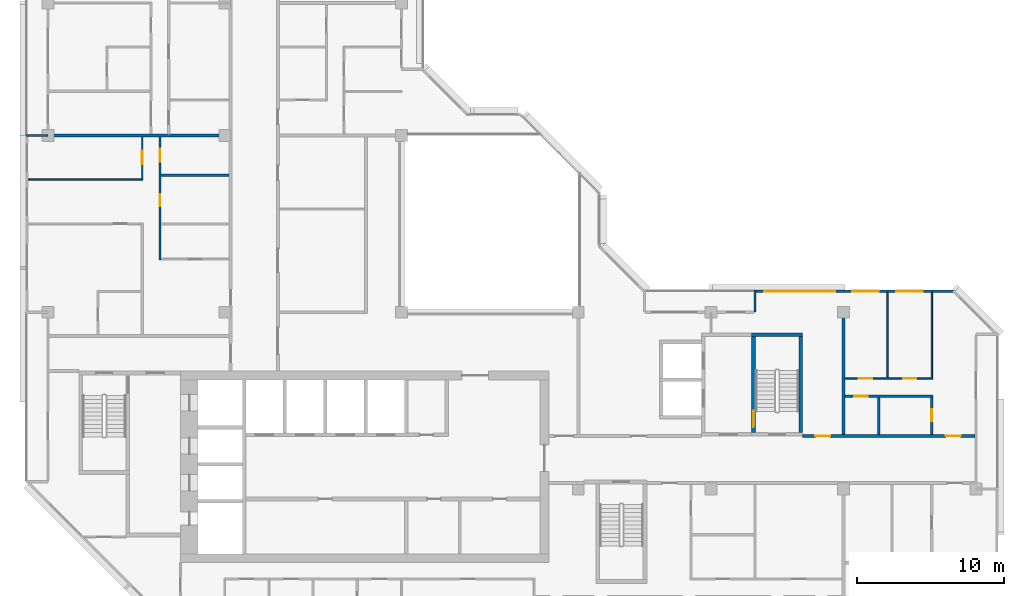
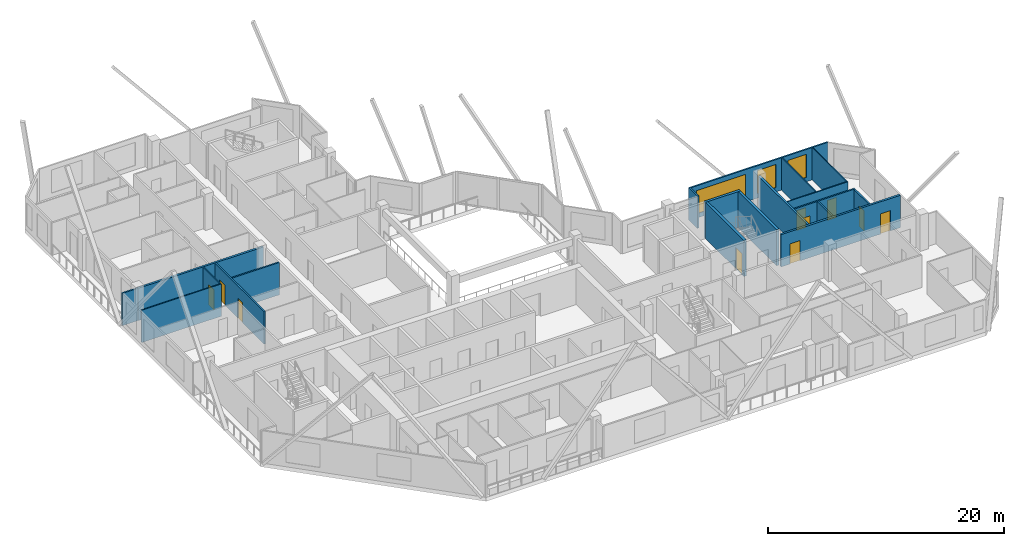
# One storey, part 8 of 13: 19 walls, 10 doors, 3 windows, 13 openings.
"""IFC4 building model written with IfcOpenShell, lengths in metres."""

from ifc_helpers import new_model, si_unit, direction, frame, frame_2d, origin, place, context, subcontext, project, spatial, rectangle, extrude, material, layer, layer_set, type_object, element, fill, save


model = new_model("IFC4")

# Units and contexts
model_context = context("Model", 3, precision=1e-05, world=origin(), true_north=direction((0.0, 1.0)))
body_context = subcontext(model_context, "Body", "Model", "MODEL_VIEW")
ifc_project = project(units=[si_unit("LENGTHUNIT", "METRE"), si_unit("AREAUNIT", "SQUARE_METRE"), si_unit("VOLUMEUNIT", "CUBIC_METRE"), si_unit("PLANEANGLEUNIT", "RADIAN"), si_unit("MASSUNIT", "GRAM", prefix="KILO")], contexts=[model_context])

# Site, building, storey
site_placement = place(None, origin())
site = spatial("IfcSite", under=ifc_project, at=site_placement, CompositionType="ELEMENT")
building_placement = place(site_placement, origin())
building = spatial("IfcBuilding", under=site, at=building_placement, Name="Chenar Terraces", CompositionType="ELEMENT")
storey_placement = place(building_placement, frame((0.0, 0.0, 310.89990234375)))
storey = spatial("IfcBuildingStorey", under=building, at=storey_placement, Name="L73", CompositionType="ELEMENT", Elevation=310.89990234375)

# Wall
ifc_material_1 = material(Name="Concrete C50/60", Category="concrete")
ifc_layer_1 = layer(ifc_material_1, 0.25)
ifc_layer_set_1 = layer_set([ifc_layer_1], Name="Concrete C50/60")
wall_type_1 = type_object("IfcWallType", Name="Core wall 250 Concrete C50/60", PredefinedType="SHEAR", material=ifc_layer_set_1)
wall_1_placement = place(storey_placement, frame((47.77490234375, 22.47509765625, 0.0), z_axis=(0.0, 0.0, 1.0), x_axis=(1.0, 0.0, 0.0)))
element("IfcWall", 1, at=wall_1_placement, inside=storey, type_object=wall_type_1, Name="Core wall ST3_N L73", PredefinedType="SHEAR", context=body_context, shape_type="SweptSolid", body=[
    extrude(rectangle(XDim=3.4501953125, YDim=0.25, at=frame_2d((1.72509765625, 0.0))), origin(), (0.0, 0.0, 1.0), 3.75),
])

# Wall, opening, door
wall_2_placement = place(storey_placement, frame((47.89990234375, 15.85009765625, 0.0), z_axis=(0.0, 0.0, 1.0), x_axis=(0.0, 1.0, 0.0)))
wall_2 = element("IfcWall", 2, at=wall_2_placement, inside=storey, type_object=wall_type_1, Name="Core wall ST3_W L73", PredefinedType="SHEAR", context=body_context, shape_type="SweptSolid", body=[
    extrude(rectangle(XDim=6.5, YDim=0.25, at=frame_2d((3.25, 0.0))), origin(), (0.0, 0.0, 1.0), 3.75),
])
opening_1_placement = place(wall_2_placement, frame((0.35009765625, 0.0, 0.0)))
opening_1 = element("IfcOpeningElement", 3, at=opening_1_placement, cuts=wall_2, Name="Opening DL73-C11", PredefinedType="OPENING", context=body_context, shape_type="SweptSolid", body=[
    extrude(rectangle(XDim=1.10009765625, YDim=2.199951171875, at=frame_2d((0.550048828125, 1.10009765625))), frame((0.0, 0.135009765625, 0.0), z_axis=(0.0, -1.0, 0.0), x_axis=(1.0, 0.0, 0.0)), (0.0, 0.0, 1.0), 0.27001953125),
])
ifc_material_2 = material(Name="Steel-framed fire-resisting door leaf", Category="steel")
door_type_1 = type_object("IfcDoorType", Name="Stair fire door FD60 1100 x 2200", OperationType="SINGLE_SWING_LEFT", PredefinedType="DOOR", material=ifc_material_2)
door_1_placement = place(opening_1_placement, frame((1.10009765625, 0.0, 0.0), z_axis=(0.0, 0.0, 1.0), x_axis=(-1.0, 0.0, 0.0)))
door_1 = element("IfcDoor", 4, at=door_1_placement, inside=storey, type_object=door_type_1, Name="Stair door DL73-C11", OperationType="SINGLE_SWING_RIGHT", OverallHeight=2.199951171875, OverallWidth=1.10009765625, PredefinedType="DOOR", context=body_context, shape_type="SweptSolid", body=[
    extrude(rectangle(XDim=1.10009765625, YDim=2.199951171875, at=frame_2d((0.550048828125, 1.10009765625))), frame((0.0, 0.02490234375, 0.0), z_axis=(0.0, -1.0, 0.0), x_axis=(1.0, 0.0, 0.0)), (0.0, 0.0, 1.0), 0.050048828125),
])
fill(opening_1, door_1)

# Wall
wall_3_placement = place(storey_placement, frame((51.10009765625, 15.85009765625, 0.0), z_axis=(0.0, 0.0, 1.0), x_axis=(0.0, 1.0, 0.0)))
element("IfcWall", 5, at=wall_3_placement, inside=storey, type_object=wall_type_1, Name="Core wall ST3_E L73", PredefinedType="SHEAR", context=body_context, shape_type="SweptSolid", body=[
    extrude(rectangle(XDim=6.5, YDim=0.25, at=frame_2d((3.25, 0.0))), origin(), (0.0, 0.0, 1.0), 3.75),
])

# Wall, openings, doors
ifc_material_3 = material(Name="Gypsum board on steel studs with fire boards", Category="steel")
ifc_layer_2 = layer(ifc_material_3, 0.199951171875)
ifc_layer_set_2 = layer_set([ifc_layer_2], Name="Gypsum board on steel studs with fire boards")
wall_type_2 = type_object("IfcWallType", Name="Corridor wall 200", PredefinedType="PARTITIONING", material=ifc_layer_set_2)
wall_4_placement = place(storey_placement, frame((51.22509765625, 15.60009765625, 0.0), z_axis=(0.0, 0.0, 1.0), x_axis=(1.0, 0.0, 0.0)))
wall_4 = element("IfcWall", 6, at=wall_4_placement, inside=storey, type_object=wall_type_2, Name="Partition L73-068", PredefinedType="PARTITIONING", context=body_context, shape_type="SweptSolid", body=[
    extrude(rectangle(XDim=11.700927734375, YDim=0.199951171875, at=frame_2d((5.8505859375, 0.0))), origin(), (0.0, 0.0, 1.0), 3.35009765625),
])
opening_2_placement = place(wall_4_placement, frame((9.72509765625, 0.0, 0.0)))
opening_2 = element("IfcOpeningElement", 7, at=opening_2_placement, cuts=wall_4, Name="Opening DL73-8", PredefinedType="OPENING", context=body_context, shape_type="SweptSolid", body=[
    extrude(rectangle(XDim=1.0, YDim=2.10009765625, at=frame_2d((0.5, 1.050048828125))), frame((0.0, 0.10986328125, 0.0), z_axis=(0.0, -1.0, 0.0), x_axis=(1.0, 0.0, 0.0)), (0.0, 0.0, 1.0), 0.219970703125),
])
opening_3_placement = place(wall_4_placement, frame((0.875, 0.0, 0.0)))
opening_3 = element("IfcOpeningElement", 8, at=opening_3_placement, cuts=wall_4, Name="Opening DL73-32", PredefinedType="OPENING", context=body_context, shape_type="SweptSolid", body=[
    extrude(rectangle(XDim=1.0, YDim=2.10009765625, at=frame_2d((0.5, 1.050048828125))), frame((0.0, 0.10986328125, 0.0), z_axis=(0.0, -1.0, 0.0), x_axis=(1.0, 0.0, 0.0)), (0.0, 0.0, 1.0), 0.219970703125),
])
ifc_material_4 = material(Name="Steel-framed fire-resisting door leaf", Category="steel")
door_type_2 = type_object("IfcDoorType", Name="Fire door FD30S 1000 x 2100", OperationType="SINGLE_SWING_LEFT", PredefinedType="DOOR", material=ifc_material_4)
door_2_placement = place(opening_2_placement, origin())
door_2 = element("IfcDoor", 9, at=door_2_placement, inside=storey, type_object=door_type_2, Name="Door DL73-8", OperationType="SINGLE_SWING_LEFT", OverallHeight=2.10009765625, OverallWidth=1.0, PredefinedType="DOOR", context=body_context, shape_type="SweptSolid", body=[
    extrude(rectangle(XDim=1.0, YDim=2.10009765625, at=frame_2d((0.5, 1.050048828125))), frame((0.0, 0.02490234375, 0.0), z_axis=(0.0, -1.0, 0.0), x_axis=(1.0, 0.0, 0.0)), (0.0, 0.0, 1.0), 0.050048828125),
])
fill(opening_2, door_2)
door_3_placement = place(opening_3_placement, origin())
door_3 = element("IfcDoor", 10, at=door_3_placement, inside=storey, type_object=door_type_2, Name="Door DL73-32", OperationType="SINGLE_SWING_RIGHT", OverallHeight=2.10009765625, OverallWidth=1.0, PredefinedType="DOOR", context=body_context, shape_type="SweptSolid", body=[
    extrude(rectangle(XDim=1.0, YDim=2.10009765625, at=frame_2d((0.5, 1.050048828125))), frame((0.0, 0.02490234375, 0.0), z_axis=(0.0, -1.0, 0.0), x_axis=(1.0, 0.0, 0.0)), (0.0, 0.0, 1.0), 0.050048828125),
])
fill(opening_3, door_3)

# Wall, openings, windows
ifc_material_5 = material(Name="Aluminium framed glazing", Category="aluminium")
ifc_layer_3 = layer(ifc_material_5, 0.14990234375)
ifc_layer_set_3 = layer_set([ifc_layer_3], Name="Aluminium framed glazing")
wall_type_3 = type_object("IfcWallType", Name="Glazed flush facade wall 150", PredefinedType="SOLIDWALL", material=ifc_layer_set_3)
wall_5_placement = place(storey_placement, frame((61.5, 25.425048828125, 0.0), z_axis=(0.0, 0.0, 1.0), x_axis=(-1.0, 0.0, 0.0)))
wall_5 = element("IfcWall", 11, at=wall_5_placement, inside=storey, type_object=wall_type_3, Name="Glazed flush facade wall", PredefinedType="SOLIDWALL", context=body_context, shape_type="SweptSolid", body=[
    extrude(rectangle(XDim=13.425048828125, YDim=0.14990234375, at=frame_2d((6.71240234375, 0.0))), origin(), (0.0, 0.0, 1.0), 3.35009765625),
])
opening_4_placement = place(wall_5_placement, frame((2.10009765625, 0.0, 0.449951171875)))
opening_4 = element("IfcOpeningElement", 12, at=opening_4_placement, cuts=wall_5, Name="Opening W180x240", PredefinedType="OPENING", context=body_context, shape_type="SweptSolid", body=[
    extrude(rectangle(XDim=1.800048828125, YDim=2.39990234375, at=frame_2d((0.89990234375, 1.199951171875))), frame((0.0, 0.0849609375, 0.0), z_axis=(0.0, -1.0, 0.0), x_axis=(1.0, 0.0, 0.0)), (0.0, 0.0, 1.0), 0.169921875),
])
opening_5_placement = place(wall_5_placement, frame((5.10009765625, 0.0, 0.449951171875)))
opening_5 = element("IfcOpeningElement", 13, at=opening_5_placement, cuts=wall_5, Name="Opening W180x240", PredefinedType="OPENING", context=body_context, shape_type="SweptSolid", body=[
    extrude(rectangle(XDim=1.800048828125, YDim=2.39990234375, at=frame_2d((0.89990234375, 1.199951171875))), frame((0.0, 0.0849609375, 0.0), z_axis=(0.0, -1.0, 0.0), x_axis=(1.0, 0.0, 0.0)), (0.0, 0.0, 1.0), 0.169921875),
])
opening_6_placement = place(wall_5_placement, frame((8.0625, 0.0, 0.449951171875)))
opening_6 = element("IfcOpeningElement", 14, at=opening_6_placement, cuts=wall_5, Name="Opening W480x240", PredefinedType="OPENING", context=body_context, shape_type="SweptSolid", body=[
    extrude(rectangle(XDim=4.800048828125, YDim=2.39990234375, at=frame_2d((2.39990234375, 1.199951171875))), frame((0.0, 0.0849609375, 0.0), z_axis=(0.0, -1.0, 0.0), x_axis=(1.0, 0.0, 0.0)), (0.0, 0.0, 1.0), 0.169921875),
])
ifc_material_6 = material(Name="Low emissivity double glazing, aluminium frame", Category="aluminium")
window_type_1 = type_object("IfcWindowType", Name="Fixed light 1800 x 2400", PartitioningType="SINGLE_PANEL", PredefinedType="WINDOW", material=ifc_material_6)
window_1_placement = place(opening_4_placement, origin())
window_1 = element("IfcWindow", 15, at=window_1_placement, inside=storey, type_object=window_type_1, Name="Window", OverallHeight=2.39990234375, OverallWidth=1.800048828125, PartitioningType="SINGLE_PANEL", PredefinedType="WINDOW", context=body_context, shape_type="SweptSolid", body=[
    extrude(rectangle(XDim=1.800048828125, YDim=2.39990234375, at=frame_2d((0.89990234375, 1.199951171875))), frame((0.0, 0.030029296875, 0.0), z_axis=(0.0, -1.0, 0.0), x_axis=(1.0, 0.0, 0.0)), (0.0, 0.0, 1.0), 0.06005859375),
])
fill(opening_4, window_1)
window_2_placement = place(opening_5_placement, origin())
window_2 = element("IfcWindow", 16, at=window_2_placement, inside=storey, type_object=window_type_1, Name="Window", OverallHeight=2.39990234375, OverallWidth=1.800048828125, PartitioningType="SINGLE_PANEL", PredefinedType="WINDOW", context=body_context, shape_type="SweptSolid", body=[
    extrude(rectangle(XDim=1.800048828125, YDim=2.39990234375, at=frame_2d((0.89990234375, 1.199951171875))), frame((0.0, 0.030029296875, 0.0), z_axis=(0.0, -1.0, 0.0), x_axis=(1.0, 0.0, 0.0)), (0.0, 0.0, 1.0), 0.06005859375),
])
fill(opening_5, window_2)
ifc_material_7 = material(Name="Low emissivity double glazing, aluminium frame", Category="aluminium")
window_type_2 = type_object("IfcWindowType", Name="Fixed light 4800 x 2400", PartitioningType="SINGLE_PANEL", PredefinedType="WINDOW", material=ifc_material_7)
window_3_placement = place(opening_6_placement, origin())
window_3 = element("IfcWindow", 17, at=window_3_placement, inside=storey, type_object=window_type_2, Name="Window", OverallHeight=2.39990234375, OverallWidth=4.800048828125, PartitioningType="SINGLE_PANEL", PredefinedType="WINDOW", context=body_context, shape_type="SweptSolid", body=[
    extrude(rectangle(XDim=4.800048828125, YDim=2.39990234375, at=frame_2d((2.39990234375, 1.199951171875))), frame((0.0, 0.030029296875, 0.0), z_axis=(0.0, -1.0, 0.0), x_axis=(1.0, 0.0, 0.0)), (0.0, 0.0, 1.0), 0.06005859375),
])
fill(opening_6, window_3)

# Wall
ifc_material_8 = material(Name="Gypsum board on steel studs", Category="steel")
ifc_layer_4 = layer(ifc_material_8, 0.10009765625)
ifc_layer_set_4 = layer_set([ifc_layer_4], Name="Gypsum board on steel studs")
wall_type_4 = type_object("IfcWallType", Name="Gypsum partition 100", PredefinedType="PARTITIONING", material=ifc_layer_set_4)
wall_6_placement = place(storey_placement, frame((-1.35009765625, 33.0, 0.0), z_axis=(0.0, 0.0, 1.0), x_axis=(1.0, 0.0, 0.0)))
element("IfcWall", 18, at=wall_6_placement, inside=storey, type_object=wall_type_4, Name="Partition L73-003", PredefinedType="PARTITIONING", context=body_context, shape_type="SweptSolid", body=[
    extrude(rectangle(XDim=7.800048828125, YDim=0.10009765625, at=frame_2d((3.89990234375, 0.0))), origin(), (0.0, 0.0, 1.0), 3.35009765625),
])

# Wall, opening, door
wall_7_placement = place(storey_placement, frame((6.39990234375, 33.050048828125, 0.0), z_axis=(0.0, 0.0, 1.0), x_axis=(0.0, 1.0, 0.0)))
wall_7 = element("IfcWall", 19, at=wall_7_placement, inside=storey, type_object=wall_type_4, Name="Partition L73-018", PredefinedType="PARTITIONING", context=body_context, shape_type="SweptSolid", body=[
    extrude(rectangle(XDim=2.849853515625, YDim=0.10009765625, at=frame_2d((1.4248046875, 0.0))), origin(), (0.0, 0.0, 1.0), 3.35009765625),
])
opening_7_placement = place(wall_7_placement, frame((1.0, 0.0, 0.0)))
opening_7 = element("IfcOpeningElement", 20, at=opening_7_placement, cuts=wall_7, Name="Opening DL73-51", PredefinedType="OPENING", context=body_context, shape_type="SweptSolid", body=[
    extrude(rectangle(XDim=0.89990234375, YDim=2.10009765625, at=frame_2d((0.449951171875, 1.050048828125))), frame((0.0, 0.06005859375, 0.0), z_axis=(0.0, -1.0, 0.0), x_axis=(1.0, 0.0, 0.0)), (0.0, 0.0, 1.0), 0.1201171875),
])
ifc_material_9 = material(Name="Veneered timber door leaf", Category="wood")
door_type_3 = type_object("IfcDoorType", Name="Door 900 x 2100", OperationType="SINGLE_SWING_LEFT", PredefinedType="DOOR", material=ifc_material_9)
door_4_placement = place(opening_7_placement, origin())
door_4 = element("IfcDoor", 21, at=door_4_placement, inside=storey, type_object=door_type_3, Name="Door DL73-51", OperationType="SINGLE_SWING_RIGHT", OverallHeight=2.10009765625, OverallWidth=0.89990234375, PredefinedType="DOOR", context=body_context, shape_type="SweptSolid", body=[
    extrude(rectangle(XDim=0.89990234375, YDim=2.10009765625, at=frame_2d((0.449951171875, 1.050048828125))), frame((0.0, 0.02490234375, 0.0), z_axis=(0.0, -1.0, 0.0), x_axis=(1.0, 0.0, 0.0)), (0.0, 0.0, 1.0), 0.050048828125),
])
fill(opening_7, door_4)

# Wall, openings, doors
wall_8_placement = place(storey_placement, frame((54.10009765625, 19.5, 0.0), z_axis=(0.0, 0.0, 1.0), x_axis=(1.0, 0.0, 0.0)))
wall_8 = element("IfcWall", 22, at=wall_8_placement, inside=storey, type_object=wall_type_4, Name="Partition L73-073", PredefinedType="PARTITIONING", context=body_context, shape_type="SweptSolid", body=[
    extrude(rectangle(XDim=5.949951171875, YDim=0.10009765625, at=frame_2d((2.97509765625, 0.0))), origin(), (0.0, 0.0, 1.0), 3.35009765625),
])
opening_8_placement = place(wall_8_placement, frame((0.949951171875, 0.0, 0.0)))
opening_8 = element("IfcOpeningElement", 23, at=opening_8_placement, cuts=wall_8, Name="Opening DL73-5", PredefinedType="OPENING", context=body_context, shape_type="SweptSolid", body=[
    extrude(rectangle(XDim=0.89990234375, YDim=2.10009765625, at=frame_2d((0.449951171875, 1.050048828125))), frame((0.0, 0.06005859375, 0.0), z_axis=(0.0, -1.0, 0.0), x_axis=(1.0, 0.0, 0.0)), (0.0, 0.0, 1.0), 0.1201171875),
])
opening_9_placement = place(wall_8_placement, frame((3.949951171875, 0.0, 0.0)))
opening_9 = element("IfcOpeningElement", 24, at=opening_9_placement, cuts=wall_8, Name="Opening DL73-6", PredefinedType="OPENING", context=body_context, shape_type="SweptSolid", body=[
    extrude(rectangle(XDim=0.89990234375, YDim=2.10009765625, at=frame_2d((0.449951171875, 1.050048828125))), frame((0.0, 0.06005859375, 0.0), z_axis=(0.0, -1.0, 0.0), x_axis=(1.0, 0.0, 0.0)), (0.0, 0.0, 1.0), 0.1201171875),
])
door_5_placement = place(opening_8_placement, origin())
door_5 = element("IfcDoor", 25, at=door_5_placement, inside=storey, type_object=door_type_3, Name="Door DL73-5", OperationType="SINGLE_SWING_RIGHT", OverallHeight=2.10009765625, OverallWidth=0.89990234375, PredefinedType="DOOR", context=body_context, shape_type="SweptSolid", body=[
    extrude(rectangle(XDim=0.89990234375, YDim=2.10009765625, at=frame_2d((0.449951171875, 1.050048828125))), frame((0.0, 0.02490234375, 0.0), z_axis=(0.0, -1.0, 0.0), x_axis=(1.0, 0.0, 0.0)), (0.0, 0.0, 1.0), 0.050048828125),
])
fill(opening_8, door_5)
door_6_placement = place(opening_9_placement, origin())
door_6 = element("IfcDoor", 26, at=door_6_placement, inside=storey, type_object=door_type_3, Name="Door DL73-6", OperationType="SINGLE_SWING_RIGHT", OverallHeight=2.10009765625, OverallWidth=0.89990234375, PredefinedType="DOOR", context=body_context, shape_type="SweptSolid", body=[
    extrude(rectangle(XDim=0.89990234375, YDim=2.10009765625, at=frame_2d((0.449951171875, 1.050048828125))), frame((0.0, 0.02490234375, 0.0), z_axis=(0.0, -1.0, 0.0), x_axis=(1.0, 0.0, 0.0)), (0.0, 0.0, 1.0), 0.050048828125),
])
fill(opening_9, door_6)

# Walls
wall_9_placement = place(storey_placement, frame((57.0, 19.550048828125, 0.0), z_axis=(0.0, 0.0, 1.0), x_axis=(0.0, 1.0, 0.0)))
element("IfcWall", 27, at=wall_9_placement, inside=storey, type_object=wall_type_4, Name="Partition L73-075", PredefinedType="PARTITIONING", context=body_context, shape_type="SweptSolid", body=[
    extrude(rectangle(XDim=5.801025390625, YDim=0.10009765625, at=frame_2d((2.900390625, 0.0))), origin(), (0.0, 0.0, 1.0), 3.35009765625),
])
wall_10_placement = place(storey_placement, frame((60.0, 19.550048828125, 0.0), z_axis=(0.0, 0.0, 1.0), x_axis=(0.0, 1.0, 0.0)))
element("IfcWall", 28, at=wall_10_placement, inside=storey, type_object=wall_type_4, Name="Partition L73-080", PredefinedType="PARTITIONING", context=body_context, shape_type="SweptSolid", body=[
    extrude(rectangle(XDim=5.800048828125, YDim=0.10009765625, at=frame_2d((2.89990234375, 0.0))), origin(), (0.0, 0.0, 1.0), 3.35009765625),
])
ifc_material_10 = material(Name="Terracotta cladding on insulated backing", Category="masonry")
ifc_layer_5 = layer(ifc_material_10, 0.14990234375)
ifc_layer_set_5 = layer_set([ifc_layer_5], Name="Terracotta cladding on insulated backing")
wall_type_5 = type_object("IfcWallType", Name="Loggia return wall 150", PredefinedType="SOLIDWALL", material=ifc_layer_set_5)
for number, where, z_axis, x_axis, name in (
    (29, (48.0, 25.5, 0.0), (0.0, 0.0, 1.0), (0.0, -1.0, 0.0), "Loggia return wall"),
    (30, (-1.5, 36.0, 0.0), (0.0, 0.0, 1.0), (1.0, 0.0, 0.0), "Loggia return wall"),
):
    element("IfcWall", number, at=place(storey_placement, frame(where, z_axis=z_axis, x_axis=x_axis)), inside=storey, type_object=wall_type_5, Name=name, PredefinedType="SOLIDWALL", context=body_context, shape_type="SweptSolid", body=[
        extrude(rectangle(XDim=1.5, YDim=0.14990234375, at=frame_2d((0.75, 0.0))), origin(), (0.0, 0.0, 1.0), 3.35009765625),
    ])
ifc_material_11 = material(Name="Twin gypsum board on steel studs with mineral wool", Category="steel")
ifc_layer_6 = layer(ifc_material_11, 0.199951171875)
ifc_layer_set_6 = layer_set([ifc_layer_6], Name="Twin gypsum board on steel studs with mineral wool")
wall_type_6 = type_object("IfcWallType", Name="Unit demising wall 200", PredefinedType="PARTITIONING", material=ifc_layer_set_6)
wall_11_placement = place(storey_placement, frame((0.0, 36.0, 0.0), z_axis=(0.0, 0.0, 1.0), x_axis=(1.0, 0.0, 0.0)))
element("IfcWall", 31, at=wall_11_placement, inside=storey, type_object=wall_type_6, Name="Partition L73-004", PredefinedType="PARTITIONING", context=body_context, shape_type="SweptSolid", body=[
    extrude(rectangle(XDim=12.300048828125, YDim=0.199951171875, at=frame_2d((6.14990234375, 0.0))), origin(), (0.0, 0.0, 1.0), 3.35009765625),
])
wall_12_placement = place(storey_placement, frame((54.0, 15.699951171875, 0.0), z_axis=(0.0, 0.0, 1.0), x_axis=(0.0, 1.0, 0.0)))
element("IfcWall", 32, at=wall_12_placement, inside=storey, type_object=wall_type_6, Name="Partition L73-070", PredefinedType="PARTITIONING", context=body_context, shape_type="SweptSolid", body=[
    extrude(rectangle(XDim=8.300048828125, YDim=0.199951171875, at=frame_2d((4.14990234375, 0.0))), origin(), (0.0, 0.0, 1.0), 3.35009765625),
])

# Wall, openings, doors
ifc_material_12 = material(Name="Moisture-resistant gypsum board on steel studs", Category="steel")
ifc_layer_7 = layer(ifc_material_12, 0.14990234375)
ifc_layer_set_7 = layer_set([ifc_layer_7], Name="Moisture-resistant gypsum board on steel studs")
wall_type_7 = type_object("IfcWallType", Name="Wet-room partition 150", PredefinedType="PARTITIONING", material=ifc_layer_set_7)
wall_13_placement = place(storey_placement, frame((7.60009765625, 27.550048828125, 0.0), z_axis=(0.0, 0.0, 1.0), x_axis=(0.0, 1.0, 0.0)))
wall_13 = element("IfcWall", 33, at=wall_13_placement, inside=storey, type_object=wall_type_7, Name="Partition L73-021", PredefinedType="PARTITIONING", context=body_context, shape_type="SweptSolid", body=[
    extrude(rectangle(XDim=8.349853515625, YDim=0.14990234375, at=frame_2d((4.1748046875, 0.0))), origin(), (0.0, 0.0, 1.0), 3.35009765625),
])
opening_10_placement = place(wall_13_placement, frame((3.64990234375, 0.0, 0.0)))
opening_10 = element("IfcOpeningElement", 34, at=opening_10_placement, cuts=wall_13, Name="Opening DL73-50", PredefinedType="OPENING", context=body_context, shape_type="SweptSolid", body=[
    extrude(rectangle(XDim=0.800048828125, YDim=2.10009765625, at=frame_2d((0.39990234375, 1.050048828125))), frame((0.0, 0.0849609375, 0.0), z_axis=(0.0, -1.0, 0.0), x_axis=(1.0, 0.0, 0.0)), (0.0, 0.0, 1.0), 0.169921875),
])
opening_11_placement = place(wall_13_placement, frame((6.64990234375, 0.0, 0.0)))
opening_11 = element("IfcOpeningElement", 35, at=opening_11_placement, cuts=wall_13, Name="Opening DL73-56", PredefinedType="OPENING", context=body_context, shape_type="SweptSolid", body=[
    extrude(rectangle(XDim=0.89990234375, YDim=2.10009765625, at=frame_2d((0.449951171875, 1.050048828125))), frame((0.0, 0.0849609375, 0.0), z_axis=(0.0, -1.0, 0.0), x_axis=(1.0, 0.0, 0.0)), (0.0, 0.0, 1.0), 0.169921875),
])
ifc_material_13 = material(Name="Veneered timber door leaf", Category="wood")
door_type_4 = type_object("IfcDoorType", Name="Door 800 x 2100", OperationType="SINGLE_SWING_LEFT", PredefinedType="DOOR", material=ifc_material_13)
door_7_placement = place(opening_10_placement, frame((0.800048828125, 0.0, 0.0), z_axis=(0.0, 0.0, 1.0), x_axis=(-1.0, 0.0, 0.0)))
door_7 = element("IfcDoor", 36, at=door_7_placement, inside=storey, type_object=door_type_4, Name="Door DL73-50", OperationType="SINGLE_SWING_RIGHT", OverallHeight=2.10009765625, OverallWidth=0.800048828125, PredefinedType="DOOR", context=body_context, shape_type="SweptSolid", body=[
    extrude(rectangle(XDim=0.800048828125, YDim=2.10009765625, at=frame_2d((0.39990234375, 1.050048828125))), frame((0.0, 0.02490234375, 0.0), z_axis=(0.0, -1.0, 0.0), x_axis=(1.0, 0.0, 0.0)), (0.0, 0.0, 1.0), 0.050048828125),
])
fill(opening_10, door_7)
door_8_placement = place(opening_11_placement, frame((0.89990234375, 0.0, 0.0), z_axis=(0.0, 0.0, 1.0), x_axis=(-1.0, 0.0, 0.0)))
door_8 = element("IfcDoor", 37, at=door_8_placement, inside=storey, type_object=door_type_3, Name="Door DL73-56", OperationType="SINGLE_SWING_LEFT", OverallHeight=2.10009765625, OverallWidth=0.89990234375, PredefinedType="DOOR", context=body_context, shape_type="SweptSolid", body=[
    extrude(rectangle(XDim=0.89990234375, YDim=2.10009765625, at=frame_2d((0.449951171875, 1.050048828125))), frame((0.0, 0.02490234375, 0.0), z_axis=(0.0, -1.0, 0.0), x_axis=(1.0, 0.0, 0.0)), (0.0, 0.0, 1.0), 0.050048828125),
])
fill(opening_11, door_8)

# Wall
wall_14_placement = place(storey_placement, frame((7.675048828125, 33.300048828125, 0.0), z_axis=(0.0, 0.0, 1.0), x_axis=(1.0, 0.0, 0.0)))
element("IfcWall", 38, at=wall_14_placement, inside=storey, type_object=wall_type_7, Name="Partition L73-024", PredefinedType="PARTITIONING", context=body_context, shape_type="SweptSolid", body=[
    extrude(rectangle(XDim=4.625, YDim=0.14990234375, at=frame_2d((2.3125, 0.0))), origin(), (0.0, 0.0, 1.0), 3.35009765625),
])

# Wall, opening, door
wall_15_placement = place(storey_placement, frame((54.10009765625, 18.300048828125, 0.0), z_axis=(0.0, 0.0, 1.0), x_axis=(1.0, 0.0, 0.0)))
wall_15 = element("IfcWall", 39, at=wall_15_placement, inside=storey, type_object=wall_type_7, Name="Partition L73-072", PredefinedType="PARTITIONING", context=body_context, shape_type="SweptSolid", body=[
    extrude(rectangle(XDim=5.974853515625, YDim=0.14990234375, at=frame_2d((2.9873046875, 0.0))), origin(), (0.0, 0.0, 1.0), 3.35009765625),
])
opening_12_placement = place(wall_15_placement, frame((0.64990234375, 0.0, 0.0)))
opening_12 = element("IfcOpeningElement", 40, at=opening_12_placement, cuts=wall_15, Name="Opening DL73-7", PredefinedType="OPENING", context=body_context, shape_type="SweptSolid", body=[
    extrude(rectangle(XDim=0.89990234375, YDim=2.10009765625, at=frame_2d((0.449951171875, 1.050048828125))), frame((0.0, 0.0849609375, 0.0), z_axis=(0.0, -1.0, 0.0), x_axis=(1.0, 0.0, 0.0)), (0.0, 0.0, 1.0), 0.169921875),
])
door_9_placement = place(opening_12_placement, frame((0.89990234375, 0.0, 0.0), z_axis=(0.0, 0.0, 1.0), x_axis=(-1.0, 0.0, 0.0)))
door_9 = element("IfcDoor", 41, at=door_9_placement, inside=storey, type_object=door_type_3, Name="Door DL73-7", OperationType="SINGLE_SWING_LEFT", OverallHeight=2.10009765625, OverallWidth=0.89990234375, PredefinedType="DOOR", context=body_context, shape_type="SweptSolid", body=[
    extrude(rectangle(XDim=0.89990234375, YDim=2.10009765625, at=frame_2d((0.449951171875, 1.050048828125))), frame((0.0, 0.02490234375, 0.0), z_axis=(0.0, -1.0, 0.0), x_axis=(1.0, 0.0, 0.0)), (0.0, 0.0, 1.0), 0.050048828125),
])
fill(opening_12, door_9)

# Wall
wall_16_placement = place(storey_placement, frame((56.39990234375, 15.699951171875, 0.0), z_axis=(0.0, 0.0, 1.0), x_axis=(0.0, 1.0, 0.0)))
element("IfcWall", 42, at=wall_16_placement, inside=storey, type_object=wall_type_7, Name="Partition L73-074", PredefinedType="PARTITIONING", context=body_context, shape_type="SweptSolid", body=[
    extrude(rectangle(XDim=2.525146484375, YDim=0.14990234375, at=frame_2d((1.2626953125, 0.0))), origin(), (0.0, 0.0, 1.0), 3.35009765625),
])

# Wall, opening, door
wall_17_placement = place(storey_placement, frame((60.0, 15.699951171875, 0.0), z_axis=(0.0, 0.0, 1.0), x_axis=(0.0, 1.0, 0.0)))
wall_17 = element("IfcWall", 43, at=wall_17_placement, inside=storey, type_object=wall_type_7, Name="Partition L73-079", PredefinedType="PARTITIONING", context=body_context, shape_type="SweptSolid", body=[
    extrude(rectangle(XDim=2.525146484375, YDim=0.14990234375, at=frame_2d((1.2626953125, 0.0))), origin(), (0.0, 0.0, 1.0), 3.35009765625),
])
opening_13_placement = place(wall_17_placement, frame((0.89990234375, 0.0, 0.0)))
opening_13 = element("IfcOpeningElement", 44, at=opening_13_placement, cuts=wall_17, Name="Opening DL73-4", PredefinedType="OPENING", context=body_context, shape_type="SweptSolid", body=[
    extrude(rectangle(XDim=0.800048828125, YDim=2.10009765625, at=frame_2d((0.39990234375, 1.050048828125))), frame((0.0, 0.0849609375, 0.0), z_axis=(0.0, -1.0, 0.0), x_axis=(1.0, 0.0, 0.0)), (0.0, 0.0, 1.0), 0.169921875),
])
door_10_placement = place(opening_13_placement, origin())
door_10 = element("IfcDoor", 45, at=door_10_placement, inside=storey, type_object=door_type_4, Name="Door DL73-4", OperationType="SINGLE_SWING_RIGHT", OverallHeight=2.10009765625, OverallWidth=0.800048828125, PredefinedType="DOOR", context=body_context, shape_type="SweptSolid", body=[
    extrude(rectangle(XDim=0.800048828125, YDim=2.10009765625, at=frame_2d((0.39990234375, 1.050048828125))), frame((0.0, 0.02490234375, 0.0), z_axis=(0.0, -1.0, 0.0), x_axis=(1.0, 0.0, 0.0)), (0.0, 0.0, 1.0), 0.050048828125),
])
fill(opening_13, door_10)

save(model, "model.ifc")
